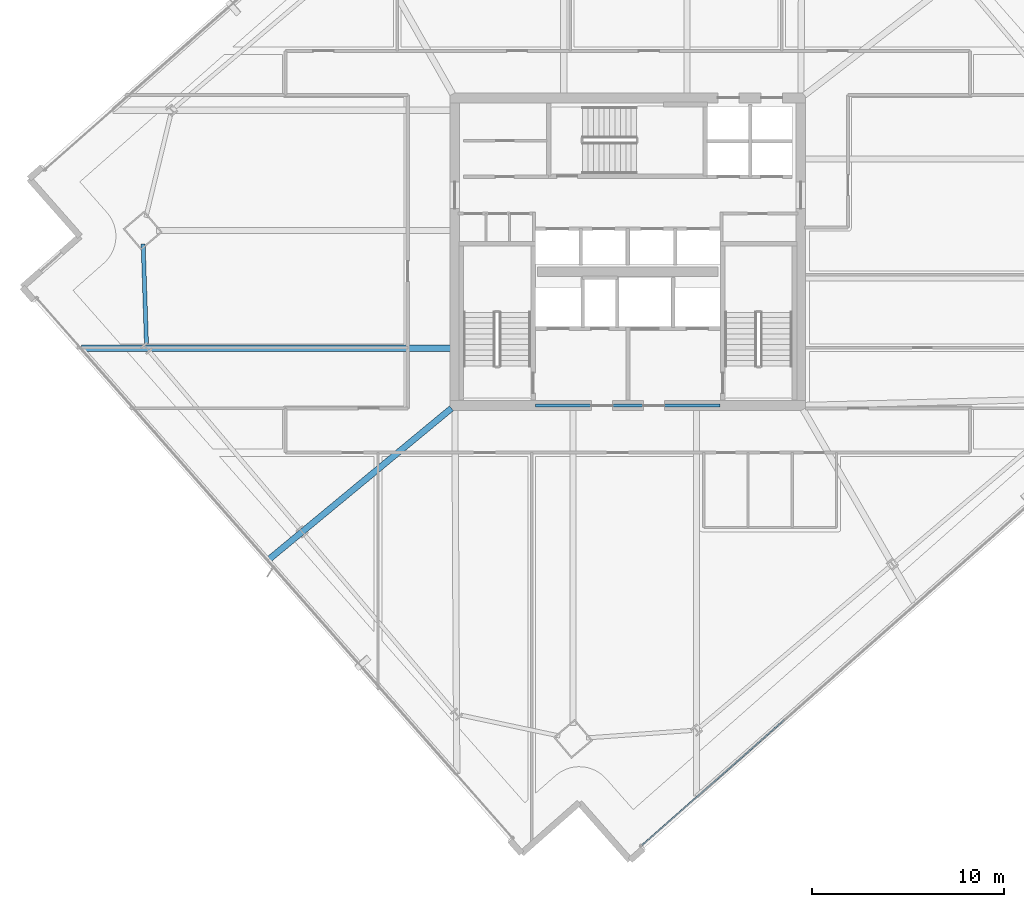
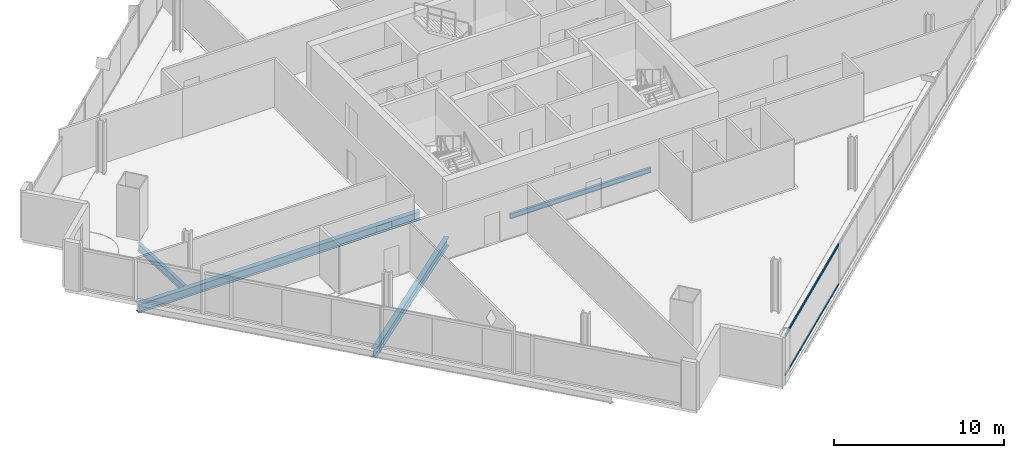
# One storey, part 6 of 34: 4 beams, 2 members, 1 element without a shape of its own.
"""IFC4 building model written with IfcOpenShell, lengths in metres."""

import ifcopenshell
import ifcopenshell.guid

model = None  # the IFC model being written
_history = None  # IfcOwnerHistory: only IFC2X3 demands one
_inside = {}  # id of a spatial element -> (the spatial element, [elements in it])
_under = {}  # id of a project, library or spatial element -> (it, [spatial elements below it])
_declared = {}  # id of a project -> (the project, [libraries it declares])
_typed = {}  # id of a type object -> (the type object, [elements of that type])
_made_of = {}  # id of a material, layer set ... -> (it, [elements and type objects made of it])


def new_model(schema):
    """Start an empty IFC model of exactly this schema.

    Asked for "IFC4X3", IfcOpenShell would pick the latest addendum, in which some entities
    have other attributes; the version numbers below select the first issue.
    IFC2X3 requires an IfcOwnerHistory on every rooted entity: one is made here for all.
    """
    global model, _history
    if schema == "IFC4X3":
        model = ifcopenshell.file(schema_version=(4, 3, 0, 0))
    else:
        model = ifcopenshell.file(schema=schema)
    _inside.clear()
    _under.clear()
    _declared.clear()
    _typed.clear()
    _made_of.clear()
    _history = None
    if model.schema == "IFC2X3":
        org = make("IfcOrganization", Name="unknown")
        user = make(
            "IfcPersonAndOrganization",
            ThePerson=make("IfcPerson", FamilyName="unknown"),
            TheOrganization=org,
        )
        app = make(
            "IfcApplication",
            ApplicationDeveloper=org,
            Version="unknown",
            ApplicationFullName="unknown",
            ApplicationIdentifier="unknown",
        )
        _history = make(
            "IfcOwnerHistory",
            OwningUser=user,
            OwningApplication=app,
            ChangeAction="ADDED",
            CreationDate=0,
        )
    return model


def make(cls, **values):
    """One entity of the class cls with the attributes given. An attribute that is None is left unset."""
    return model.create_entity(
        cls, **{name: value for name, value in values.items() if value is not None}
    )


def rooted(cls, **values):
    """An entity with a GlobalId (a new one), such as an element, a storey or a relation."""
    return make(cls, GlobalId=ifcopenshell.guid.new(), OwnerHistory=_history, **values)


def si_unit(unit_type, name, prefix=None):
    """IfcSIUnit, for example si_unit("LENGTHUNIT", "METRE", prefix="MILLI")."""
    return make("IfcSIUnit", UnitType=unit_type, Prefix=prefix, Name=name)


def assignment(units):
    """IfcUnitAssignment: the units of a project."""
    return None if units is None else make("IfcUnitAssignment", Units=units)


def point(xyz):
    """IfcCartesianPoint."""
    return None if xyz is None else make("IfcCartesianPoint", Coordinates=xyz)


def direction(xyz):
    """IfcDirection."""
    return None if xyz is None else make("IfcDirection", DirectionRatios=xyz)


def frame(location, z_axis=None, x_axis=None):
    """IfcAxis2Placement3D, a coordinate frame: its origin and axes. An axis left out is left unset."""
    return make(
        "IfcAxis2Placement3D",
        Location=point(location),
        Axis=direction(z_axis),
        RefDirection=direction(x_axis),
    )


def frame_2d(location, x_axis=None):
    """IfcAxis2Placement2D, a coordinate frame in the plane: its origin and x axis."""
    return make(
        "IfcAxis2Placement2D", Location=point(location), RefDirection=direction(x_axis)
    )


def origin():
    """The frame at (0, 0, 0) with its axes left unset."""
    return frame((0.0, 0.0, 0.0))


def origin_2d():
    """The frame at (0, 0) in the plane with its x axis left unset."""
    return frame_2d((0.0, 0.0))


def place(relative_to, where):
    """IfcLocalPlacement: puts the frame where relative to a parent placement (None: the world)."""
    return make(
        "IfcLocalPlacement", PlacementRelTo=relative_to, RelativePlacement=where
    )


def context(
    kind, dimensions, precision=None, world=None, true_north=None, identifier=None
):
    """IfcGeometricRepresentationContext, for example the 3D "Model" context."""
    return make(
        "IfcGeometricRepresentationContext",
        ContextIdentifier=identifier,
        ContextType=kind,
        CoordinateSpaceDimension=dimensions,
        Precision=precision,
        WorldCoordinateSystem=world,
        TrueNorth=true_north,
    )


def subcontext(parent, identifier, kind, view, scale=None):
    """IfcGeometricRepresentationSubContext, for example "Body" below "Model"."""
    return make(
        "IfcGeometricRepresentationSubContext",
        ContextIdentifier=identifier,
        ContextType=kind,
        ParentContext=parent,
        TargetScale=scale,
        TargetView=view,
    )


def project(units=None, contexts=None):
    """IfcProject with its units and contexts."""
    return rooted(
        "IfcProject",
        Name="project",
        RepresentationContexts=contexts,
        UnitsInContext=assignment(units),
    )


def spatial(cls, under=None, at=None, **own):
    """A site, building, storey or space (cls), placed at a placement, below another one or the project."""
    s = rooted(cls, ObjectPlacement=at, **own)
    if under is not None:
        _under.setdefault(under.id(), (under, []))[1].append(s)
    return s


def profile(cls, at=None, kind="AREA", **sizes):
    """A parametric profile (cls). Its sizes go by their IFC names, for example OverallWidth=200.0."""
    return make(cls, ProfileType=kind, Position=at, **sizes)


def hollow_rectangle(**sizes):
    """IfcRectangleHollowProfileDef."""
    return profile("IfcRectangleHollowProfileDef", **sizes)


def i_section(**sizes):
    """IfcIShapeProfileDef."""
    return profile("IfcIShapeProfileDef", **sizes)


def extrude(swept, where, along, depth):
    """IfcExtrudedAreaSolid: the profile swept, set in the frame where, extruded along a direction by depth."""
    return make(
        "IfcExtrudedAreaSolid",
        SweptArea=swept,
        Position=where,
        ExtrudedDirection=direction(along),
        Depth=depth,
    )


def shape(context_of_items, identifier, shape_type, items):
    """IfcShapeRepresentation: the items that make up one representation, for example the "Body"."""
    return make(
        "IfcShapeRepresentation",
        ContextOfItems=context_of_items,
        RepresentationIdentifier=identifier,
        RepresentationType=shape_type,
        Items=items,
    )


def material(Name=None, Category=None):
    """IfcMaterial."""
    return make("IfcMaterial", Name=Name, Category=Category)


def material_profile(
    of_material, cross_section, Name=None, Category=None, Priority=None
):
    """IfcMaterialProfile: a cross section and its material."""
    return make(
        "IfcMaterialProfile",
        Name=Name,
        Material=of_material,
        Profile=cross_section,
        Priority=Priority,
        Category=Category,
    )


def profile_set(profiles, Name=None, composite=None):
    """IfcMaterialProfileSet."""
    return make(
        "IfcMaterialProfileSet",
        Name=Name,
        MaterialProfiles=profiles,
        CompositeProfile=composite,
    )


def made_of(thing, what):
    """Note that an element or type object is made of a material, layer set ...; save() writes the relation."""
    if what is not None:
        _made_of.setdefault(what.id(), (what, []))[1].append(thing)
    return thing


def type_object(cls, material=None, **own):
    """A type object (cls), such as IfcWallType, which elements share."""
    return made_of(rooted(cls, **own), material)


def element(
    cls,
    number,
    at=None,
    inside=None,
    cuts=None,
    type_object=None,
    material=None,
    context=None,
    identifier="Body",
    shape_type=None,
    held_by="IfcProductDefinitionShape",
    body=None,
    shapes=None,
    **own,
):
    """One element of the class cls, such as IfcWall. Its Tag is "e" and its number.

    at: its placement. inside: the storey or other place that contains it. cuts: it is an
    opening in that element (IfcRelVoidsElement). A single representation is given by context,
    identifier, shape_type and body (its items); several are given by shapes. held_by: the class
    of the entity that holds the representations. save() writes the other relations.
    """
    e = rooted(cls, Tag="e%d" % number, ObjectPlacement=at, **own)
    if body is not None:
        shapes = [shape(context, identifier, shape_type, body)]
    if shapes is not None:
        e.Representation = make(held_by, Representations=shapes)
    if inside is not None:
        _inside.setdefault(inside.id(), (inside, []))[1].append(e)
    if cuts is not None:
        rooted(
            "IfcRelVoidsElement", RelatingBuildingElement=cuts, RelatedOpeningElement=e
        )
    if type_object is not None:
        _typed.setdefault(type_object.id(), (type_object, []))[1].append(e)
    return made_of(e, material)


def aggregate(whole, parts):
    """IfcRelAggregates: a whole, such as a stair, and the parts it consists of."""
    return rooted("IfcRelAggregates", RelatingObject=whole, RelatedObjects=parts)


def save(model, path):
    """Write the relations noted so far, then the file.

    IfcRelAggregates (storeys below a building ...), IfcRelContainedInSpatialStructure (elements
    in a storey), IfcRelDefinesByType, IfcRelAssociatesMaterial and IfcRelDeclares: one each for
    every whole, place, type object, material and project.
    """
    for whole, parts in _under.values():
        aggregate(whole, parts)
    for where, things in _inside.values():
        rooted(
            "IfcRelContainedInSpatialStructure",
            RelatedElements=things,
            RelatingStructure=where,
        )
    for kind, things in _typed.values():
        rooted("IfcRelDefinesByType", RelatedObjects=things, RelatingType=kind)
    for what, things in _made_of.values():
        rooted("IfcRelAssociatesMaterial", RelatedObjects=things, RelatingMaterial=what)
    for by, libraries in _declared.values():
        rooted("IfcRelDeclares", RelatingContext=by, RelatedDefinitions=libraries)
    model.write(path)


model = new_model("IFC4")

# Units and contexts
model_context = context("Model", 3, precision=1e-05, world=origin(), true_north=direction((0.0, 1.0)))
body_context = subcontext(model_context, "Body", "Model", "MODEL_VIEW")
ifc_project = project(units=[si_unit("LENGTHUNIT", "METRE"), si_unit("AREAUNIT", "SQUARE_METRE"), si_unit("VOLUMEUNIT", "CUBIC_METRE"), si_unit("PLANEANGLEUNIT", "RADIAN"), si_unit("MASSUNIT", "GRAM", prefix="KILO")], contexts=[model_context])

# Site, building, storey
site_placement = place(None, origin())
site = spatial("IfcSite", under=ifc_project, at=site_placement, CompositionType="ELEMENT")
building_placement = place(site_placement, origin())
building = spatial("IfcBuilding", under=site, at=building_placement, Name="Haldenkirk Collegiate Tower", CompositionType="ELEMENT")
storey_placement = place(building_placement, frame((0.0, 0.0, 166.949951171875)))
storey = spatial("IfcBuildingStorey", under=building, at=storey_placement, Name="L41", CompositionType="ELEMENT", Elevation=166.949951171875)

# Beams
ifc_material_1 = material(Name="Steel ASTM A992 Grade 50", Category="steel")
ifc_material_profile_1 = material_profile(ifc_material_1, i_section(OverallWidth=0.324951171875, OverallDepth=0.615966796875, WebThickness=0.013916015625, FlangeThickness=0.021484375, at=origin_2d()), Name="W24X117")
ifc_profile_set_1 = profile_set([ifc_material_profile_1], Name="Steel ASTM A992 Grade 50")
beam_type_1 = type_object("IfcBeamType", Name="BM-GIRDER-W24X117", PredefinedType="BEAM", material=ifc_profile_set_1)
beam_1_placement = place(storey_placement, frame((7.58740234375, 20.9833984375, -0.597900390625), z_axis=(1.0, 0.0, 0.0), x_axis=(0.0, 1.0, 0.0)))
element("IfcBeam", 1, at=beam_1_placement, inside=storey, type_object=beam_type_1, Name="L41 primary floor girder 14", PredefinedType="BEAM", context=body_context, shape_type="SweptSolid", body=[
    extrude(i_section(OverallWidth=0.324951171875, OverallDepth=0.615966796875, WebThickness=0.013916015625, FlangeThickness=0.021484375, at=origin_2d()), origin(), (0.0, 0.0, 1.0), 19.1826171875),
])
beam_2_placement = place(storey_placement, frame((17.29638671875, 9.970703125, -0.597900390625), z_axis=(0.770437125058, 0.637515989079, 0.0), x_axis=(-0.637515989079, 0.770437125058, 0.0)))
element("IfcBeam", 2, at=beam_2_placement, inside=storey, type_object=beam_type_1, Name="L41 primary floor girder 15", PredefinedType="BEAM", context=body_context, shape_type="SweptSolid", body=[
    extrude(i_section(OverallWidth=0.324951171875, OverallDepth=0.615966796875, WebThickness=0.013916015625, FlangeThickness=0.021484375, at=origin_2d()), origin(), (0.0, 0.0, 1.0), 12.364990234375),
])
ifc_material_profile_2 = material_profile(ifc_material_1, i_section(OverallWidth=0.1708984375, OverallDepth=0.35595703125, WebThickness=0.007080078125, FlangeThickness=0.01171875, at=origin_2d()), Name="W14X34")
ifc_profile_set_2 = profile_set([ifc_material_profile_2], Name="Steel ASTM A992 Grade 50")
beam_type_2 = type_object("IfcBeamType", Name="BM-LINTEL-W14X34", PredefinedType="LINTEL", material=ifc_profile_set_2)
beam_3_placement = place(storey_placement, frame((31.199951171875, 18.0, -0.468017578125), z_axis=(1.0, 0.0, 0.0), x_axis=(0.0, 1.0, 0.0)))
element("IfcBeam", 3, at=beam_3_placement, inside=storey, type_object=beam_type_2, Name="L41 south core coupling lintel", PredefinedType="LINTEL", context=body_context, shape_type="SweptSolid", body=[
    extrude(i_section(OverallWidth=0.1708984375, OverallDepth=0.35595703125, WebThickness=0.007080078125, FlangeThickness=0.01171875, at=origin_2d()), origin(), (0.0, 0.0, 1.0), 9.60009765625),
])
ifc_material_profile_3 = material_profile(ifc_material_1, i_section(OverallWidth=0.2119140625, OverallDepth=0.5439453125, WebThickness=0.01318359375, FlangeThickness=0.021240234375, at=origin_2d()), Name="W21X83")
ifc_profile_set_3 = profile_set([ifc_material_profile_3], Name="Steel ASTM A992 Grade 50")
beam_type_3 = type_object("IfcBeamType", Name="BM-SPANDREL-W21X83", PredefinedType="SPANDREL", material=ifc_profile_set_3)
beam_4_placement = place(storey_placement, frame((10.7841796875, 26.399169921875, -0.56201171875), z_axis=(0.033072037576, -0.999452970545, 0.0), x_axis=(0.999452970545, 0.033072037576, 0.0)))
element("IfcBeam", 4, at=beam_4_placement, inside=storey, type_object=beam_type_3, Name="L41 perimeter spandrel beam 13", PredefinedType="SPANDREL", context=body_context, shape_type="SweptSolid", body=[
    extrude(i_section(OverallWidth=0.2119140625, OverallDepth=0.5439453125, WebThickness=0.01318359375, FlangeThickness=0.021240234375, at=origin_2d()), origin(), (0.0, 0.0, 1.0), 5.189697265625),
])

# Curtain wall, members
ifc_material_2 = material(Name="Anodised architectural bronze aluminium", Category="aluminium")
curtain_wall_type = type_object("IfcCurtainWallType", Name="CW-SYS2-CONCAVE", PredefinedType="USERDEFINED", material=ifc_material_2)
curtain_wall_placement = place(storey_placement, origin())
curtain_wall = element("IfcCurtainWall", 5, at=curtain_wall_placement, inside=storey, type_object=curtain_wall_type, Name="L41 South concave recessed bronze-anodised curtain wall", ObjectType="UNITISED CURTAIN WALL", PredefinedType="USERDEFINED")
ifc_material_profile_4 = material_profile(ifc_material_2, hollow_rectangle(XDim=0.074951171875, YDim=0.159912109375, WallThickness=0.0048828125, at=origin_2d()), Name="CW-TRN-02")
ifc_profile_set_4 = profile_set([ifc_material_profile_4], Name="Anodised architectural bronze aluminium")
member_type = type_object("IfcMemberType", Name="CW-TRN-02", PredefinedType="USERDEFINED", material=ifc_profile_set_4)
member_1_placement = place(storey_placement, frame((44.126220703125, 1.642333984375, 0.03759765625), z_axis=(-0.750108694573, -0.661314559287, 0.0), x_axis=(0.661314559287, -0.750108694573, 0.0)))
member_1 = element("IfcMember", 6, at=member_1_placement, type_object=member_type, Name="CW-02 transom 4.1", ObjectType="TRANSOM", PredefinedType="USERDEFINED", context=body_context, shape_type="SweptSolid", body=[
    extrude(hollow_rectangle(XDim=0.074951171875, YDim=0.159912109375, WallThickness=0.0048828125, at=origin_2d()), origin(), (0.0, 0.0, 1.0), 9.862548828125),
])
member_2_placement = place(storey_placement, frame((44.126220703125, 1.642333984375, 2.87353515625), z_axis=(-0.750108694573, -0.661314559287, 0.0), x_axis=(0.661314559287, -0.750108694573, 0.0)))
member_2 = element("IfcMember", 7, at=member_2_placement, type_object=member_type, Name="CW-02 transom 4.2", ObjectType="TRANSOM", PredefinedType="USERDEFINED", context=body_context, shape_type="SweptSolid", body=[
    extrude(hollow_rectangle(XDim=0.074951171875, YDim=0.159912109375, WallThickness=0.0048828125, at=origin_2d()), origin(), (0.0, 0.0, 1.0), 9.862548828125),
])
aggregate(curtain_wall, [member_1, member_2])

save(model, "model.ifc")
